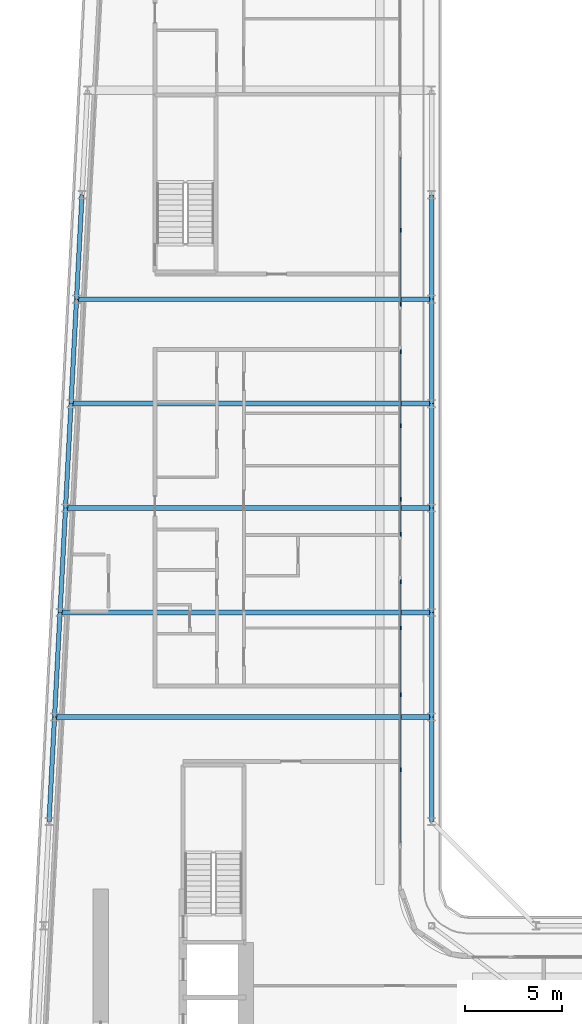
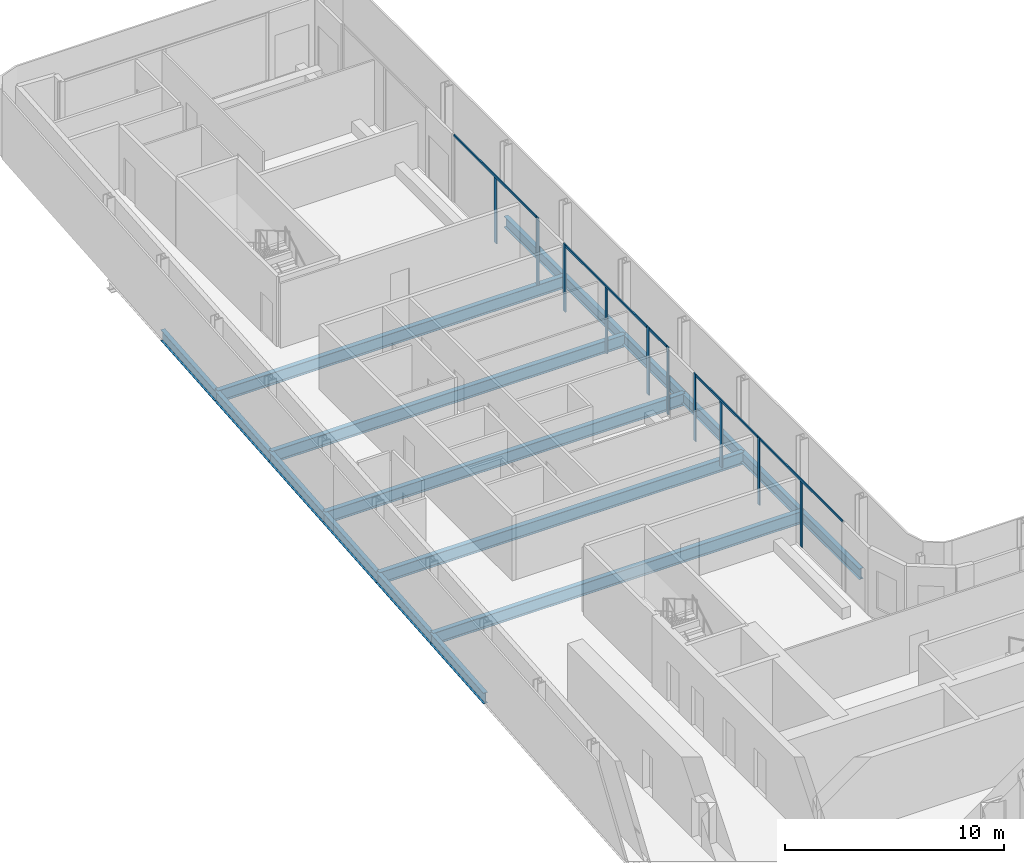
# One storey, part 9 of 29: 17 beams, 15 members, 5 elements without a shape of their own.
"""IFC4 building model written with IfcOpenShell, lengths in metres."""

from ifc_helpers import new_model, si_unit, direction, frame, origin, origin_2d, place, context, subcontext, project, spatial, rectangle, i_section, extrude, material, layer, layer_set, material_profile, profile_set, type_object, element, aggregate, save


model = new_model("IFC4")

# Units and contexts
model_context = context("Model", 3, precision=1e-05, world=origin(), true_north=direction((0.0, 1.0)))
body_context = subcontext(model_context, "Body", "Model", "MODEL_VIEW")
ifc_project = project(units=[si_unit("LENGTHUNIT", "METRE"), si_unit("AREAUNIT", "SQUARE_METRE"), si_unit("VOLUMEUNIT", "CUBIC_METRE"), si_unit("PLANEANGLEUNIT", "RADIAN"), si_unit("MASSUNIT", "GRAM", prefix="KILO")], contexts=[model_context])

# Site, building, storey
site_placement = place(None, origin())
site = spatial("IfcSite", under=ifc_project, at=site_placement, CompositionType="ELEMENT")
building_placement = place(site_placement, origin())
building = spatial("IfcBuilding", under=site, at=building_placement, Name="Kheshtan School and Residences Tower", CompositionType="ELEMENT")
storey_placement = place(building_placement, frame((0.0, 0.0, 183.800048828125)))
storey = spatial("IfcBuildingStorey", under=building, at=storey_placement, Name="L43", CompositionType="ELEMENT", Elevation=183.800048828125)

# Beams
ifc_material_1 = material(Name="Steel ASTM A992 Grade 50", Category="steel")
ifc_material_profile_1 = material_profile(ifc_material_1, i_section(OverallWidth=0.2529296875, OverallDepth=0.677978515625, WebThickness=0.01171875, FlangeThickness=0.016357421875, FilletRadius=0.0146484375, at=origin_2d()), Name="W690x125")
ifc_profile_set_1 = profile_set([ifc_material_profile_1], Name="Steel ASTM A992 Grade 50")
beam_type_1 = type_object("IfcBeamType", Name="Beam FB6 W690x125 ASTM A992 Grade 50", PredefinedType="BEAM", material=ifc_profile_set_1)
beam_1_placement = place(storey_placement, frame((47.60009765625, 78.0, -0.489013671875), z_axis=(-1.0, 0.0, 0.0), x_axis=(0.0, -1.0, 0.0)))
element("IfcBeam", 1, at=beam_1_placement, inside=storey, type_object=beam_type_1, Name="Floor beam C089", PredefinedType="BEAM", context=body_context, shape_type="SweptSolid", body=[
    extrude(i_section(OverallWidth=0.2529296875, OverallDepth=0.677978515625, WebThickness=0.01171875, FlangeThickness=0.016357421875, FilletRadius=0.0146484375, at=origin_2d()), origin(), (0.0, 0.0, 1.0), 18.357177734375),
])
beam_2_placement = place(storey_placement, frame((47.60009765625, 67.199951171875, -0.489013671875), z_axis=(-1.0, 0.0, 0.0), x_axis=(0.0, -1.0, 0.0)))
element("IfcBeam", 2, at=beam_2_placement, inside=storey, type_object=beam_type_1, Name="Floor beam C085", PredefinedType="BEAM", context=body_context, shape_type="SweptSolid", body=[
    extrude(i_section(OverallWidth=0.2529296875, OverallDepth=0.677978515625, WebThickness=0.01171875, FlangeThickness=0.016357421875, FilletRadius=0.0146484375, at=origin_2d()), origin(), (0.0, 0.0, 1.0), 18.926025390625),
])
beam_3_placement = place(storey_placement, frame((47.60009765625, 56.39990234375, -0.489013671875), z_axis=(-1.0, 0.0, 0.0), x_axis=(0.0, -1.0, 0.0)))
element("IfcBeam", 3, at=beam_3_placement, inside=storey, type_object=beam_type_1, Name="Floor beam C081", PredefinedType="BEAM", context=body_context, shape_type="SweptSolid", body=[
    extrude(i_section(OverallWidth=0.2529296875, OverallDepth=0.677978515625, WebThickness=0.01171875, FlangeThickness=0.016357421875, FilletRadius=0.0146484375, at=origin_2d()), origin(), (0.0, 0.0, 1.0), 19.494140625),
])
beam_4_placement = place(storey_placement, frame((28.389892578125, 61.800048828125, -0.489013671875), z_axis=(1.0, 0.0, 0.0), x_axis=(0.0, 1.0, 0.0)))
element("IfcBeam", 4, at=beam_4_placement, inside=storey, type_object=beam_type_1, Name="Floor beam C082", PredefinedType="BEAM", context=body_context, shape_type="SweptSolid", body=[
    extrude(i_section(OverallWidth=0.2529296875, OverallDepth=0.677978515625, WebThickness=0.01171875, FlangeThickness=0.016357421875, FilletRadius=0.0146484375, at=origin_2d()), origin(), (0.0, 0.0, 1.0), 19.210205078125),
])
beam_5_placement = place(storey_placement, frame((28.9580078125, 72.60009765625, -0.489013671875), z_axis=(1.0, 0.0, 0.0), x_axis=(0.0, 1.0, 0.0)))
element("IfcBeam", 5, at=beam_5_placement, inside=storey, type_object=beam_type_1, Name="Floor beam C086", PredefinedType="BEAM", context=body_context, shape_type="SweptSolid", body=[
    extrude(i_section(OverallWidth=0.2529296875, OverallDepth=0.677978515625, WebThickness=0.01171875, FlangeThickness=0.016357421875, FilletRadius=0.0146484375, at=origin_2d()), origin(), (0.0, 0.0, 1.0), 18.64208984375),
])
ifc_material_profile_2 = material_profile(ifc_material_1, i_section(OverallWidth=0.22802734375, OverallDepth=0.60302734375, WebThickness=0.010498046875, FlangeThickness=0.014892578125, FilletRadius=0.013427734375, at=origin_2d()), Name="W610x101")
ifc_profile_set_2 = profile_set([ifc_material_profile_2], Name="Steel ASTM A992 Grade 50")
beam_type_2 = type_object("IfcBeamType", Name="Beam SP2 W610x101 ASTM A992 Grade 50", PredefinedType="BEAM", material=ifc_profile_set_2)
for number, where, z_axis, x_axis, name in (
    (6, (47.60009765625, 83.39990234375, -0.45166015625), (0.0, -1.0, 0.0), (1.0, 0.0, 0.0), "Spandrel beam C091-C089"),
    (7, (47.60009765625, 78.0, -0.45166015625), (0.0, -1.0, 0.0), (1.0, 0.0, 0.0), "Spandrel beam C089-C087"),
):
    element("IfcBeam", number, at=place(storey_placement, frame(where, z_axis=z_axis, x_axis=x_axis)), inside=storey, type_object=beam_type_2, Name=name, PredefinedType="BEAM", context=body_context, shape_type="SweptSolid", body=[
        extrude(i_section(OverallWidth=0.22802734375, OverallDepth=0.60302734375, WebThickness=0.010498046875, FlangeThickness=0.014892578125, FilletRadius=0.013427734375, at=origin_2d()), origin(), (0.0, 0.0, 1.0), 5.39990234375),
    ])
beam_6_placement = place(storey_placement, frame((47.60009765625, 72.60009765625, -0.45166015625), z_axis=(0.0, -1.0, 0.0), x_axis=(1.0, 0.0, 0.0)))
element("IfcBeam", 8, at=beam_6_placement, inside=storey, type_object=beam_type_2, Name="Spandrel beam C087-C085", PredefinedType="BEAM", context=body_context, shape_type="SweptSolid", body=[
    extrude(i_section(OverallWidth=0.22802734375, OverallDepth=0.60302734375, WebThickness=0.010498046875, FlangeThickness=0.014892578125, FilletRadius=0.013427734375, at=origin_2d()), origin(), (0.0, 0.0, 1.0), 5.400146484375),
])
beam_7_placement = place(storey_placement, frame((47.60009765625, 67.199951171875, -0.45166015625), z_axis=(0.0, -1.0, 0.0), x_axis=(1.0, 0.0, 0.0)))
element("IfcBeam", 9, at=beam_7_placement, inside=storey, type_object=beam_type_2, Name="Spandrel beam C085-C083", PredefinedType="BEAM", context=body_context, shape_type="SweptSolid", body=[
    extrude(i_section(OverallWidth=0.22802734375, OverallDepth=0.60302734375, WebThickness=0.010498046875, FlangeThickness=0.014892578125, FilletRadius=0.013427734375, at=origin_2d()), origin(), (0.0, 0.0, 1.0), 5.39990234375),
])
beam_8_placement = place(storey_placement, frame((47.60009765625, 61.800048828125, -0.45166015625), z_axis=(0.0, -1.0, 0.0), x_axis=(1.0, 0.0, 0.0)))
element("IfcBeam", 10, at=beam_8_placement, inside=storey, type_object=beam_type_2, Name="Spandrel beam C083-C081", PredefinedType="BEAM", context=body_context, shape_type="SweptSolid", body=[
    extrude(i_section(OverallWidth=0.22802734375, OverallDepth=0.60302734375, WebThickness=0.010498046875, FlangeThickness=0.014892578125, FilletRadius=0.013427734375, at=origin_2d()), origin(), (0.0, 0.0, 1.0), 5.400146484375),
])
beam_9_placement = place(storey_placement, frame((47.60009765625, 56.39990234375, -0.45166015625), z_axis=(0.0, -1.0, 0.0), x_axis=(1.0, 0.0, 0.0)))
element("IfcBeam", 11, at=beam_9_placement, inside=storey, type_object=beam_type_2, Name="Spandrel beam C081-C079", PredefinedType="BEAM", context=body_context, shape_type="SweptSolid", body=[
    extrude(i_section(OverallWidth=0.22802734375, OverallDepth=0.60302734375, WebThickness=0.010498046875, FlangeThickness=0.014892578125, FilletRadius=0.013427734375, at=origin_2d()), origin(), (0.0, 0.0, 1.0), 5.39990234375),
])
beam_10_placement = place(storey_placement, frame((27.822021484375, 51.0, -0.45166015625), z_axis=(0.05250906864, 0.998620447272, 0.0), x_axis=(-0.998620447272, 0.05250906864, 0.0)))
element("IfcBeam", 12, at=beam_10_placement, inside=storey, type_object=beam_type_2, Name="Spandrel beam C078-C080", PredefinedType="BEAM", context=body_context, shape_type="SweptSolid", body=[
    extrude(i_section(OverallWidth=0.22802734375, OverallDepth=0.60302734375, WebThickness=0.010498046875, FlangeThickness=0.014892578125, FilletRadius=0.013427734375, at=origin_2d()), origin(), (0.0, 0.0, 1.0), 5.407470703125),
])
beam_11_placement = place(storey_placement, frame((28.10595703125, 56.39990234375, -0.45166015625), z_axis=(0.05250670125, 0.998620571751, 0.0), x_axis=(-0.998620571751, 0.05250670125, 0.0)))
element("IfcBeam", 13, at=beam_11_placement, inside=storey, type_object=beam_type_2, Name="Spandrel beam C080-C082", PredefinedType="BEAM", context=body_context, shape_type="SweptSolid", body=[
    extrude(i_section(OverallWidth=0.22802734375, OverallDepth=0.60302734375, WebThickness=0.010498046875, FlangeThickness=0.014892578125, FilletRadius=0.013427734375, at=origin_2d()), origin(), (0.0, 0.0, 1.0), 5.40771484375),
])
beam_12_placement = place(storey_placement, frame((28.389892578125, 61.800048828125, -0.45166015625), z_axis=(0.052554093665, 0.998618078766, 0.0), x_axis=(-0.998618078766, 0.052554093665, 0.0)))
element("IfcBeam", 14, at=beam_12_placement, inside=storey, type_object=beam_type_2, Name="Spandrel beam C082-C084", PredefinedType="BEAM", context=body_context, shape_type="SweptSolid", body=[
    extrude(i_section(OverallWidth=0.22802734375, OverallDepth=0.60302734375, WebThickness=0.010498046875, FlangeThickness=0.014892578125, FilletRadius=0.013427734375, at=origin_2d()), origin(), (0.0, 0.0, 1.0), 5.407470703125),
])
beam_13_placement = place(storey_placement, frame((28.674072265625, 67.199951171875, -0.45166015625), z_axis=(0.05250670125, 0.998620571751, 0.0), x_axis=(-0.998620571751, 0.05250670125, 0.0)))
element("IfcBeam", 15, at=beam_13_placement, inside=storey, type_object=beam_type_2, Name="Spandrel beam C084-C086", PredefinedType="BEAM", context=body_context, shape_type="SweptSolid", body=[
    extrude(i_section(OverallWidth=0.22802734375, OverallDepth=0.60302734375, WebThickness=0.010498046875, FlangeThickness=0.014892578125, FilletRadius=0.013427734375, at=origin_2d()), origin(), (0.0, 0.0, 1.0), 5.40771484375),
])
for number, where, z_axis, x_axis, name in (
    (16, (28.9580078125, 72.60009765625, -0.45166015625), (0.052689166816, 0.998610961136, 0.0), (-0.998610961136, 0.052689166816, 0.0), "Spandrel beam C086-C088"),
    (17, (29.242919921875, 78.0, -0.45166015625), (0.052554093665, 0.998618078766, 0.0), (-0.998618078766, 0.052554093665, 0.0), "Spandrel beam C088-C090"),
):
    element("IfcBeam", number, at=place(storey_placement, frame(where, z_axis=z_axis, x_axis=x_axis)), inside=storey, type_object=beam_type_2, Name=name, PredefinedType="BEAM", context=body_context, shape_type="SweptSolid", body=[
        extrude(i_section(OverallWidth=0.22802734375, OverallDepth=0.60302734375, WebThickness=0.010498046875, FlangeThickness=0.014892578125, FilletRadius=0.013427734375, at=origin_2d()), origin(), (0.0, 0.0, 1.0), 5.407470703125),
    ])

# Curtain wall, members
ifc_material_2 = material(Name="Clear low-e glass in thermally broken aluminium frame", Category="aluminium")
ifc_layer = layer(ifc_material_2, 0.199951171875)
ifc_layer_set = layer_set([ifc_layer], Name="Curtain wall CW-L")
curtain_wall_type = type_object("IfcCurtainWallType", Name="Curtain wall CW-L", PredefinedType="NOTDEFINED", material=ifc_layer_set)
curtain_wall_1_placement = place(storey_placement, origin())
curtain_wall_1 = element("IfcCurtainWall", 18, at=curtain_wall_1_placement, inside=storey, type_object=curtain_wall_type, Name="Curtain wall CWL8", PredefinedType="NOTDEFINED")
ifc_material_3 = material(Name="Thermally broken aluminium, dark bronze anodised", Category="aluminium")
ifc_material_profile_3 = material_profile(ifc_material_3, rectangle(XDim=0.06005859375, YDim=0.199951171875, at=origin_2d()), Name="CW-L mullion 60x200")
ifc_profile_set_3 = profile_set([ifc_material_profile_3], Name="Thermally broken aluminium, dark bronze anodised")
member_type_1 = type_object("IfcMemberType", Name="CW-L mullion 60x200", PredefinedType="MULLION", material=ifc_profile_set_3)
member_1_placement = place(storey_placement, frame((46.0, 81.55908203125, 0.0), z_axis=(0.0, 0.0, 1.0), x_axis=(1.0, 0.0, 0.0)))
member_1 = element("IfcMember", 19, at=member_1_placement, type_object=member_type_1, Name="CWL8 mullion 2", PredefinedType="MULLION", context=body_context, shape_type="SweptSolid", body=[
    extrude(rectangle(XDim=0.06005859375, YDim=0.199951171875, at=origin_2d()), origin(), (0.0, 0.0, 1.0), 3.6298828125),
])
member_2_placement = place(storey_placement, frame((46.0, 77.741943359375, 0.0), z_axis=(0.0, 0.0, 1.0), x_axis=(1.0, 0.0, 0.0)))
member_2 = element("IfcMember", 20, at=member_2_placement, type_object=member_type_1, Name="CWL8 mullion 3", PredefinedType="MULLION", context=body_context, shape_type="SweptSolid", body=[
    extrude(rectangle(XDim=0.06005859375, YDim=0.199951171875, at=origin_2d()), origin(), (0.0, 0.0, 1.0), 3.75),
])

curtain_wall_2_placement = place(storey_placement, origin())
curtain_wall_2 = element("IfcCurtainWall", 21, at=curtain_wall_2_placement, inside=storey, type_object=curtain_wall_type, Name="Curtain wall CWL8", PredefinedType="NOTDEFINED")
member_3_placement = place(storey_placement, frame((46.0, 75.281982421875, 0.0), z_axis=(0.0, 0.0, 1.0), x_axis=(1.0, 0.0, 0.0)))
member_3 = element("IfcMember", 22, at=member_3_placement, type_object=member_type_1, Name="CWL8 mullion 1", PredefinedType="MULLION", context=body_context, shape_type="SweptSolid", body=[
    extrude(rectangle(XDim=0.06005859375, YDim=0.199951171875, at=origin_2d()), origin(), (0.0, 0.0, 1.0), 3.75),
])
member_4_placement = place(storey_placement, frame((46.0, 71.465087890625, 0.0), z_axis=(0.0, 0.0, 1.0), x_axis=(1.0, 0.0, 0.0)))
member_4 = element("IfcMember", 23, at=member_4_placement, type_object=member_type_1, Name="CWL8 mullion 2", PredefinedType="MULLION", context=body_context, shape_type="SweptSolid", body=[
    extrude(rectangle(XDim=0.06005859375, YDim=0.199951171875, at=origin_2d()), origin(), (0.0, 0.0, 1.0), 3.6298828125),
])
member_5_placement = place(storey_placement, frame((46.0, 67.64794921875, 0.0), z_axis=(0.0, 0.0, 1.0), x_axis=(1.0, 0.0, 0.0)))
member_5 = element("IfcMember", 24, at=member_5_placement, type_object=member_type_1, Name="CWL8 mullion 3", PredefinedType="MULLION", context=body_context, shape_type="SweptSolid", body=[
    extrude(rectangle(XDim=0.06005859375, YDim=0.199951171875, at=origin_2d()), origin(), (0.0, 0.0, 1.0), 3.75),
])

# Curtain wall, member
curtain_wall_3_placement = place(storey_placement, origin())
curtain_wall_3 = element("IfcCurtainWall", 25, at=curtain_wall_3_placement, inside=storey, type_object=curtain_wall_type, Name="Curtain wall CWL8e", PredefinedType="NOTDEFINED")
member_6_placement = place(storey_placement, frame((46.0, 65.847900390625, 0.0), z_axis=(0.0, 0.0, 1.0), x_axis=(1.0, 0.0, 0.0)))
member_6 = element("IfcMember", 26, at=member_6_placement, type_object=member_type_1, Name="CWL8e mullion 2", PredefinedType="MULLION", context=body_context, shape_type="SweptSolid", body=[
    extrude(rectangle(XDim=0.06005859375, YDim=0.199951171875, at=origin_2d()), origin(), (0.0, 0.0, 1.0), 3.75),
])

# Curtain wall, members
curtain_wall_4_placement = place(storey_placement, origin())
curtain_wall_4 = element("IfcCurtainWall", 27, at=curtain_wall_4_placement, inside=storey, type_object=curtain_wall_type, Name="Curtain wall CWL8m", PredefinedType="NOTDEFINED")
member_7_placement = place(storey_placement, frame((46.0, 63.387939453125, 0.0), z_axis=(0.0, 0.0, 1.0), x_axis=(1.0, 0.0, 0.0)))
member_7 = element("IfcMember", 28, at=member_7_placement, type_object=member_type_1, Name="CWL8m mullion 1", PredefinedType="MULLION", context=body_context, shape_type="SweptSolid", body=[
    extrude(rectangle(XDim=0.06005859375, YDim=0.199951171875, at=origin_2d()), origin(), (0.0, 0.0, 1.0), 3.75),
])
member_8_placement = place(storey_placement, frame((46.0, 61.0, 0.0), z_axis=(0.0, 0.0, 1.0), x_axis=(1.0, 0.0, 0.0)))
member_8 = element("IfcMember", 29, at=member_8_placement, type_object=member_type_1, Name="CWL8m mullion 2", PredefinedType="MULLION", context=body_context, shape_type="SweptSolid", body=[
    extrude(rectangle(XDim=0.06005859375, YDim=0.199951171875, at=origin_2d()), origin(), (0.0, 0.0, 1.0), 3.6298828125),
])
member_9_placement = place(storey_placement, frame((46.0, 57.553955078125, 0.0), z_axis=(0.0, 0.0, 1.0), x_axis=(1.0, 0.0, 0.0)))
member_9 = element("IfcMember", 30, at=member_9_placement, type_object=member_type_1, Name="CWL8m mullion 3", PredefinedType="MULLION", context=body_context, shape_type="SweptSolid", body=[
    extrude(rectangle(XDim=0.06005859375, YDim=0.199951171875, at=origin_2d()), origin(), (0.0, 0.0, 1.0), 3.75),
])

# Curtain wall, member
curtain_wall_5_placement = place(storey_placement, origin())
curtain_wall_5 = element("IfcCurtainWall", 31, at=curtain_wall_5_placement, inside=storey, type_object=curtain_wall_type, Name="Curtain wall CWL8", PredefinedType="NOTDEFINED")
member_10_placement = place(storey_placement, frame((46.0, 53.677001953125, 0.0), z_axis=(0.0, 0.0, 1.0), x_axis=(1.0, 0.0, 0.0)))
member_10 = element("IfcMember", 32, at=member_10_placement, type_object=member_type_1, Name="CWL8 mullion 2", PredefinedType="MULLION", context=body_context, shape_type="SweptSolid", body=[
    extrude(rectangle(XDim=0.06005859375, YDim=0.199951171875, at=origin_2d()), origin(), (0.0, 0.0, 1.0), 3.6298828125),
])

# Member
ifc_material_profile_4 = material_profile(ifc_material_3, rectangle(XDim=0.06005859375, YDim=0.1201171875, at=origin_2d()), Name="CW-L transom 60x120")
ifc_profile_set_4 = profile_set([ifc_material_profile_4], Name="Thermally broken aluminium, dark bronze anodised")
member_type_2 = type_object("IfcMemberType", Name="CW-L transom 60x120", PredefinedType="USERDEFINED", material=ifc_profile_set_4)
member_11_placement = place(storey_placement, frame((46.0, 85.345947265625, 3.68994140625), z_axis=(0.0, -1.0, 0.0), x_axis=(1.0, 0.0, 0.0)))
member_11 = element("IfcMember", 33, at=member_11_placement, type_object=member_type_2, Name="CWL8 transom 1", ObjectType="TRANSOM", PredefinedType="USERDEFINED", context=body_context, shape_type="SweptSolid", body=[
    extrude(rectangle(XDim=0.06005859375, YDim=0.1201171875, at=origin_2d()), origin(), (0.0, 0.0, 1.0), 7.573974609375),
])

aggregate(curtain_wall_1, [member_1, member_2, member_11])

member_12_placement = place(storey_placement, frame((46.0, 75.251953125, 3.68994140625), z_axis=(0.0, -1.0, 0.0), x_axis=(1.0, 0.0, 0.0)))
member_12 = element("IfcMember", 34, at=member_12_placement, type_object=member_type_2, Name="CWL8 transom 1", ObjectType="TRANSOM", PredefinedType="USERDEFINED", context=body_context, shape_type="SweptSolid", body=[
    extrude(rectangle(XDim=0.06005859375, YDim=0.1201171875, at=origin_2d()), origin(), (0.0, 0.0, 1.0), 7.573974609375),
])

aggregate(curtain_wall_2, [member_3, member_4, member_5, member_12])

member_13_placement = place(storey_placement, frame((46.0, 67.617919921875, 3.68994140625), z_axis=(0.0, -1.0, 0.0), x_axis=(1.0, 0.0, 0.0)))
member_13 = element("IfcMember", 35, at=member_13_placement, type_object=member_type_2, Name="CWL8e transom 1", ObjectType="TRANSOM", PredefinedType="USERDEFINED", context=body_context, shape_type="SweptSolid", body=[
    extrude(rectangle(XDim=0.06005859375, YDim=0.1201171875, at=origin_2d()), origin(), (0.0, 0.0, 1.0), 1.739990234375),
])

aggregate(curtain_wall_3, [member_6, member_13])

member_14_placement = place(storey_placement, frame((46.0, 63.35791015625, 3.68994140625), z_axis=(0.0, -1.0, 0.0), x_axis=(1.0, 0.0, 0.0)))
member_14 = element("IfcMember", 36, at=member_14_placement, type_object=member_type_2, Name="CWL8m transom 1", ObjectType="TRANSOM", PredefinedType="USERDEFINED", context=body_context, shape_type="SweptSolid", body=[
    extrude(rectangle(XDim=0.06005859375, YDim=0.1201171875, at=origin_2d()), origin(), (0.0, 0.0, 1.0), 5.77392578125),
])

aggregate(curtain_wall_4, [member_7, member_8, member_9, member_14])

member_15_placement = place(storey_placement, frame((46.0, 57.52392578125, 3.68994140625), z_axis=(0.0, -1.0, 0.0), x_axis=(1.0, 0.0, 0.0)))
member_15 = element("IfcMember", 37, at=member_15_placement, type_object=member_type_2, Name="CWL8 transom 1", ObjectType="TRANSOM", PredefinedType="USERDEFINED", context=body_context, shape_type="SweptSolid", body=[
    extrude(rectangle(XDim=0.06005859375, YDim=0.1201171875, at=origin_2d()), origin(), (0.0, 0.0, 1.0), 7.634033203125),
])

aggregate(curtain_wall_5, [member_10, member_15])

save(model, "model.ifc")
